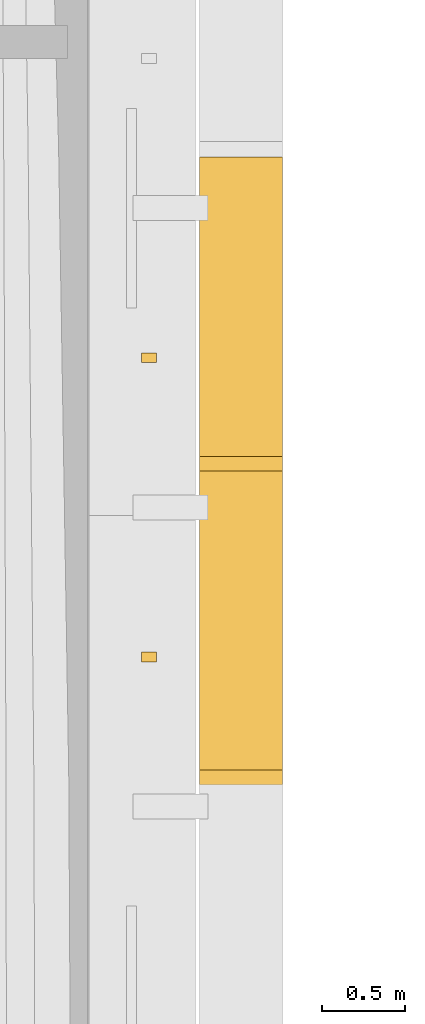
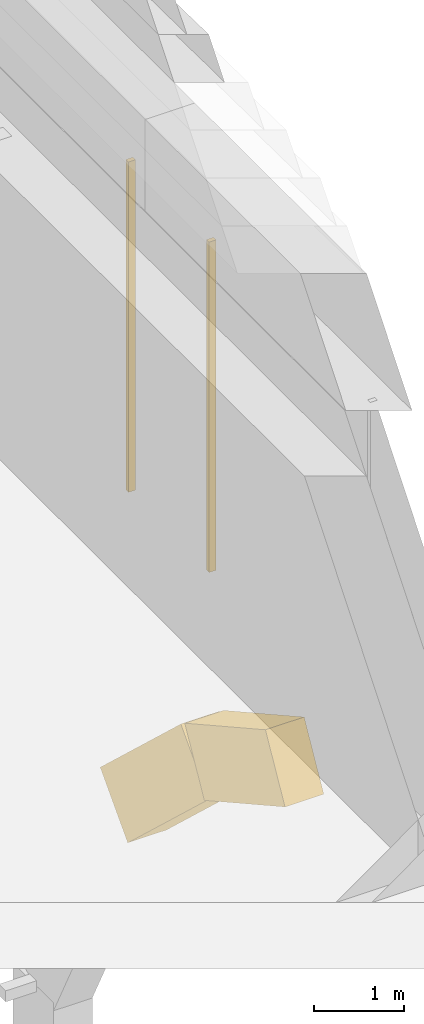
# One storey, part 33 of 39: 4 coverings.
"""IFC4 building model written with IfcOpenShell, lengths in metres."""

import ifcopenshell
import ifcopenshell.guid

model = None  # the IFC model being written
_history = None  # IfcOwnerHistory: only IFC2X3 demands one
_inside = {}  # id of a spatial element -> (the spatial element, [elements in it])
_under = {}  # id of a project, library or spatial element -> (it, [spatial elements below it])
_declared = {}  # id of a project -> (the project, [libraries it declares])
_typed = {}  # id of a type object -> (the type object, [elements of that type])
_made_of = {}  # id of a material, layer set ... -> (it, [elements and type objects made of it])


def new_model(schema):
    """Start an empty IFC model of exactly this schema.

    Asked for "IFC4X3", IfcOpenShell would pick the latest addendum, in which some entities
    have other attributes; the version numbers below select the first issue.
    IFC2X3 requires an IfcOwnerHistory on every rooted entity: one is made here for all.
    """
    global model, _history
    if schema == "IFC4X3":
        model = ifcopenshell.file(schema_version=(4, 3, 0, 0))
    else:
        model = ifcopenshell.file(schema=schema)
    _inside.clear()
    _under.clear()
    _declared.clear()
    _typed.clear()
    _made_of.clear()
    _history = None
    if model.schema == "IFC2X3":
        org = make("IfcOrganization", Name="unknown")
        user = make(
            "IfcPersonAndOrganization",
            ThePerson=make("IfcPerson", FamilyName="unknown"),
            TheOrganization=org,
        )
        app = make(
            "IfcApplication",
            ApplicationDeveloper=org,
            Version="unknown",
            ApplicationFullName="unknown",
            ApplicationIdentifier="unknown",
        )
        _history = make(
            "IfcOwnerHistory",
            OwningUser=user,
            OwningApplication=app,
            ChangeAction="ADDED",
            CreationDate=0,
        )
    return model


def make(cls, **values):
    """One entity of the class cls with the attributes given. An attribute that is None is left unset."""
    return model.create_entity(
        cls, **{name: value for name, value in values.items() if value is not None}
    )


def rooted(cls, **values):
    """An entity with a GlobalId (a new one), such as an element, a storey or a relation."""
    return make(cls, GlobalId=ifcopenshell.guid.new(), OwnerHistory=_history, **values)


def si_unit(unit_type, name, prefix=None):
    """IfcSIUnit, for example si_unit("LENGTHUNIT", "METRE", prefix="MILLI")."""
    return make("IfcSIUnit", UnitType=unit_type, Prefix=prefix, Name=name)


def assignment(units):
    """IfcUnitAssignment: the units of a project."""
    return None if units is None else make("IfcUnitAssignment", Units=units)


def point(xyz):
    """IfcCartesianPoint."""
    return None if xyz is None else make("IfcCartesianPoint", Coordinates=xyz)


def direction(xyz):
    """IfcDirection."""
    return None if xyz is None else make("IfcDirection", DirectionRatios=xyz)


def frame(location, z_axis=None, x_axis=None):
    """IfcAxis2Placement3D, a coordinate frame: its origin and axes. An axis left out is left unset."""
    return make(
        "IfcAxis2Placement3D",
        Location=point(location),
        Axis=direction(z_axis),
        RefDirection=direction(x_axis),
    )


def frame_2d(location, x_axis=None):
    """IfcAxis2Placement2D, a coordinate frame in the plane: its origin and x axis."""
    return make(
        "IfcAxis2Placement2D", Location=point(location), RefDirection=direction(x_axis)
    )


def origin():
    """The frame at (0, 0, 0) with its axes left unset."""
    return frame((0.0, 0.0, 0.0))


def origin_2d():
    """The frame at (0, 0) in the plane with its x axis left unset."""
    return frame_2d((0.0, 0.0))


def place(relative_to, where):
    """IfcLocalPlacement: puts the frame where relative to a parent placement (None: the world)."""
    return make(
        "IfcLocalPlacement", PlacementRelTo=relative_to, RelativePlacement=where
    )


def context(
    kind, dimensions, precision=None, world=None, true_north=None, identifier=None
):
    """IfcGeometricRepresentationContext, for example the 3D "Model" context."""
    return make(
        "IfcGeometricRepresentationContext",
        ContextIdentifier=identifier,
        ContextType=kind,
        CoordinateSpaceDimension=dimensions,
        Precision=precision,
        WorldCoordinateSystem=world,
        TrueNorth=true_north,
    )


def subcontext(parent, identifier, kind, view, scale=None):
    """IfcGeometricRepresentationSubContext, for example "Body" below "Model"."""
    return make(
        "IfcGeometricRepresentationSubContext",
        ContextIdentifier=identifier,
        ContextType=kind,
        ParentContext=parent,
        TargetScale=scale,
        TargetView=view,
    )


def project(units=None, contexts=None):
    """IfcProject with its units and contexts."""
    return rooted(
        "IfcProject",
        Name="project",
        RepresentationContexts=contexts,
        UnitsInContext=assignment(units),
    )


def spatial(cls, under=None, at=None, **own):
    """A site, building, storey or space (cls), placed at a placement, below another one or the project."""
    s = rooted(cls, ObjectPlacement=at, **own)
    if under is not None:
        _under.setdefault(under.id(), (under, []))[1].append(s)
    return s


def profile(cls, at=None, kind="AREA", **sizes):
    """A parametric profile (cls). Its sizes go by their IFC names, for example OverallWidth=200.0."""
    return make(cls, ProfileType=kind, Position=at, **sizes)


def rectangle(**sizes):
    """IfcRectangleProfileDef."""
    return profile("IfcRectangleProfileDef", **sizes)


def extrude(swept, where, along, depth):
    """IfcExtrudedAreaSolid: the profile swept, set in the frame where, extruded along a direction by depth."""
    return make(
        "IfcExtrudedAreaSolid",
        SweptArea=swept,
        Position=where,
        ExtrudedDirection=direction(along),
        Depth=depth,
    )


def shape(context_of_items, identifier, shape_type, items):
    """IfcShapeRepresentation: the items that make up one representation, for example the "Body"."""
    return make(
        "IfcShapeRepresentation",
        ContextOfItems=context_of_items,
        RepresentationIdentifier=identifier,
        RepresentationType=shape_type,
        Items=items,
    )


def material(Name=None, Category=None):
    """IfcMaterial."""
    return make("IfcMaterial", Name=Name, Category=Category)


def material_profile(
    of_material, cross_section, Name=None, Category=None, Priority=None
):
    """IfcMaterialProfile: a cross section and its material."""
    return make(
        "IfcMaterialProfile",
        Name=Name,
        Material=of_material,
        Profile=cross_section,
        Priority=Priority,
        Category=Category,
    )


def profile_set(profiles, Name=None, composite=None):
    """IfcMaterialProfileSet."""
    return make(
        "IfcMaterialProfileSet",
        Name=Name,
        MaterialProfiles=profiles,
        CompositeProfile=composite,
    )


def made_of(thing, what):
    """Note that an element or type object is made of a material, layer set ...; save() writes the relation."""
    if what is not None:
        _made_of.setdefault(what.id(), (what, []))[1].append(thing)
    return thing


def type_object(cls, material=None, **own):
    """A type object (cls), such as IfcWallType, which elements share."""
    return made_of(rooted(cls, **own), material)


def element(
    cls,
    number,
    at=None,
    inside=None,
    cuts=None,
    type_object=None,
    material=None,
    context=None,
    identifier="Body",
    shape_type=None,
    held_by="IfcProductDefinitionShape",
    body=None,
    shapes=None,
    **own,
):
    """One element of the class cls, such as IfcWall. Its Tag is "e" and its number.

    at: its placement. inside: the storey or other place that contains it. cuts: it is an
    opening in that element (IfcRelVoidsElement). A single representation is given by context,
    identifier, shape_type and body (its items); several are given by shapes. held_by: the class
    of the entity that holds the representations. save() writes the other relations.
    """
    e = rooted(cls, Tag="e%d" % number, ObjectPlacement=at, **own)
    if body is not None:
        shapes = [shape(context, identifier, shape_type, body)]
    if shapes is not None:
        e.Representation = make(held_by, Representations=shapes)
    if inside is not None:
        _inside.setdefault(inside.id(), (inside, []))[1].append(e)
    if cuts is not None:
        rooted(
            "IfcRelVoidsElement", RelatingBuildingElement=cuts, RelatedOpeningElement=e
        )
    if type_object is not None:
        _typed.setdefault(type_object.id(), (type_object, []))[1].append(e)
    return made_of(e, material)


def aggregate(whole, parts):
    """IfcRelAggregates: a whole, such as a stair, and the parts it consists of."""
    return rooted("IfcRelAggregates", RelatingObject=whole, RelatedObjects=parts)


def save(model, path):
    """Write the relations noted so far, then the file.

    IfcRelAggregates (storeys below a building ...), IfcRelContainedInSpatialStructure (elements
    in a storey), IfcRelDefinesByType, IfcRelAssociatesMaterial and IfcRelDeclares: one each for
    every whole, place, type object, material and project.
    """
    for whole, parts in _under.values():
        aggregate(whole, parts)
    for where, things in _inside.values():
        rooted(
            "IfcRelContainedInSpatialStructure",
            RelatedElements=things,
            RelatingStructure=where,
        )
    for kind, things in _typed.values():
        rooted("IfcRelDefinesByType", RelatedObjects=things, RelatingType=kind)
    for what, things in _made_of.values():
        rooted("IfcRelAssociatesMaterial", RelatedObjects=things, RelatingMaterial=what)
    for by, libraries in _declared.values():
        rooted("IfcRelDeclares", RelatingContext=by, RelatedDefinitions=libraries)
    model.write(path)


model = new_model("IFC4")

# Units and contexts
model_context = context("Model", 3, precision=1e-05, world=origin(), true_north=direction((0.0, 1.0)))
body_context = subcontext(model_context, "Body", "Model", "MODEL_VIEW")
ifc_project = project(units=[si_unit("LENGTHUNIT", "METRE"), si_unit("AREAUNIT", "SQUARE_METRE"), si_unit("VOLUMEUNIT", "CUBIC_METRE"), si_unit("PLANEANGLEUNIT", "RADIAN"), si_unit("MASSUNIT", "GRAM", prefix="KILO")], contexts=[model_context])

# Site, building, storey
site_placement = place(None, origin())
site = spatial("IfcSite", under=ifc_project, at=site_placement, CompositionType="ELEMENT")
building_placement = place(site_placement, origin())
building = spatial("IfcBuilding", under=site, at=building_placement, Name="Cobrizo Arcos Hotel Tower", CompositionType="ELEMENT")
storey_placement = place(building_placement, frame((0.0, 0.0, 84.5)))
storey = spatial("IfcBuildingStorey", under=building, at=storey_placement, Name="L20", CompositionType="ELEMENT", Elevation=84.5)

# Coverings
ifc_material = material(Name="Aluminium 6063-T6 anodised pale", Category="aluminium")
ifc_material_profile = material_profile(ifc_material, rectangle(XDim=0.5, YDim=0.89990234375, at=origin_2d()), Name="AF-2 core arch rim 500x900")
ifc_profile_set = profile_set([ifc_material_profile], Name="Aluminium 6063-T6 anodised pale")
covering_type_1 = type_object("IfcCoveringType", Name="AF-2 core arch rim 500x900", PredefinedType="CLADDING", material=ifc_profile_set)
covering_1_placement = place(storey_placement, frame((24.925048828125, 3.60009765625, -2.263916015625), z_axis=(0.0, 0.873832790044, -0.486226547037), x_axis=(-1.0, 0.0, 0.0)))
element("IfcCovering", 1, at=covering_1_placement, inside=storey, type_object=covering_type_1, Name="Arch rim A E face", PredefinedType="CLADDING", context=body_context, shape_type="SweptSolid", body=[
    extrude(rectangle(XDim=0.5, YDim=0.89990234375, at=origin_2d()), origin(), (0.0, 0.0, 1.0), 2.0595703125),
])
covering_2_placement = place(storey_placement, frame((24.925048828125, 5.39990234375, -3.265380859375), z_axis=(0.0, 0.73088053178, -0.682505419952), x_axis=(-1.0, 0.0, 0.0)))
element("IfcCovering", 2, at=covering_2_placement, inside=storey, type_object=covering_type_1, Name="Arch rim A E face", PredefinedType="CLADDING", context=body_context, shape_type="SweptSolid", body=[
    extrude(rectangle(XDim=0.5, YDim=0.89990234375, at=origin_2d()), origin(), (0.0, 0.0, 1.0), 2.462890625),
])
covering_type_2 = type_object("IfcCoveringType", Name="RS-1 rainscreen rib 60x90", PredefinedType="CLADDING", material=ifc_material)
for number, where, z_axis, x_axis, name in (
    (3, (24.3701171875, 4.5, 0.0), (0.0, 0.0, 1.0), (0.0, 1.0, 0.0), "Rainscreen rib 27"),
    (4, (24.3701171875, 6.300048828125, 0.0), (0.0, 0.0, 1.0), (0.0, 1.0, 0.0), "Rainscreen rib 28"),
):
    element("IfcCovering", number, at=place(storey_placement, frame(where, z_axis=z_axis, x_axis=x_axis)), inside=storey, type_object=covering_type_2, Name=name, PredefinedType="CLADDING", context=body_context, shape_type="SweptSolid", body=[
        extrude(rectangle(XDim=0.06005859375, YDim=0.090087890625, at=origin_2d()), origin(), (0.0, 0.0, 1.0), 4.5),
    ])

save(model, "model.ifc")
